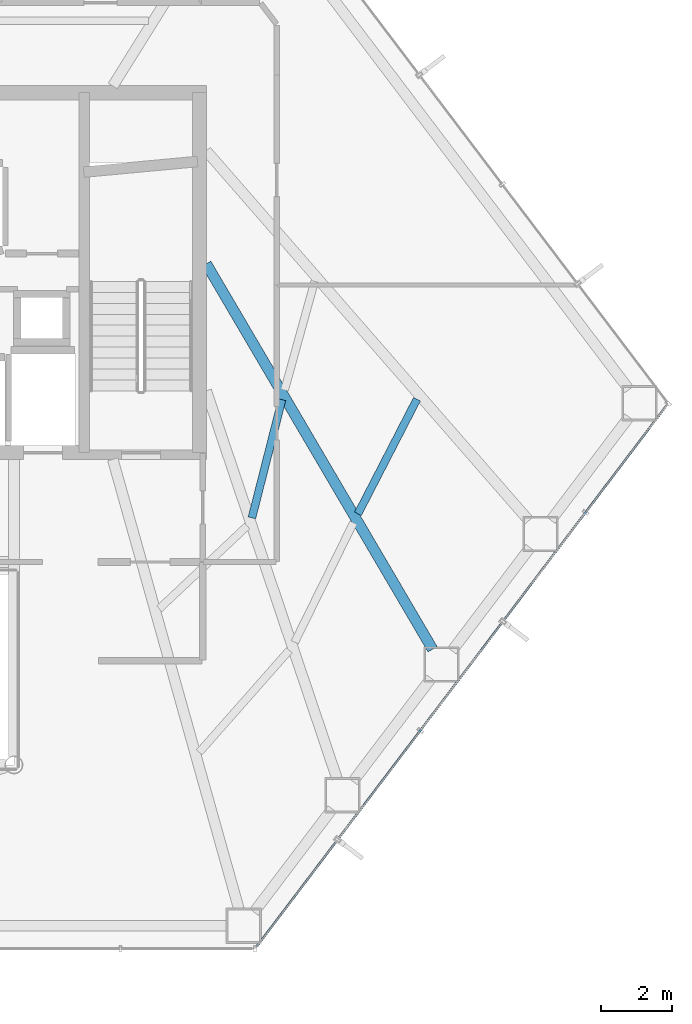
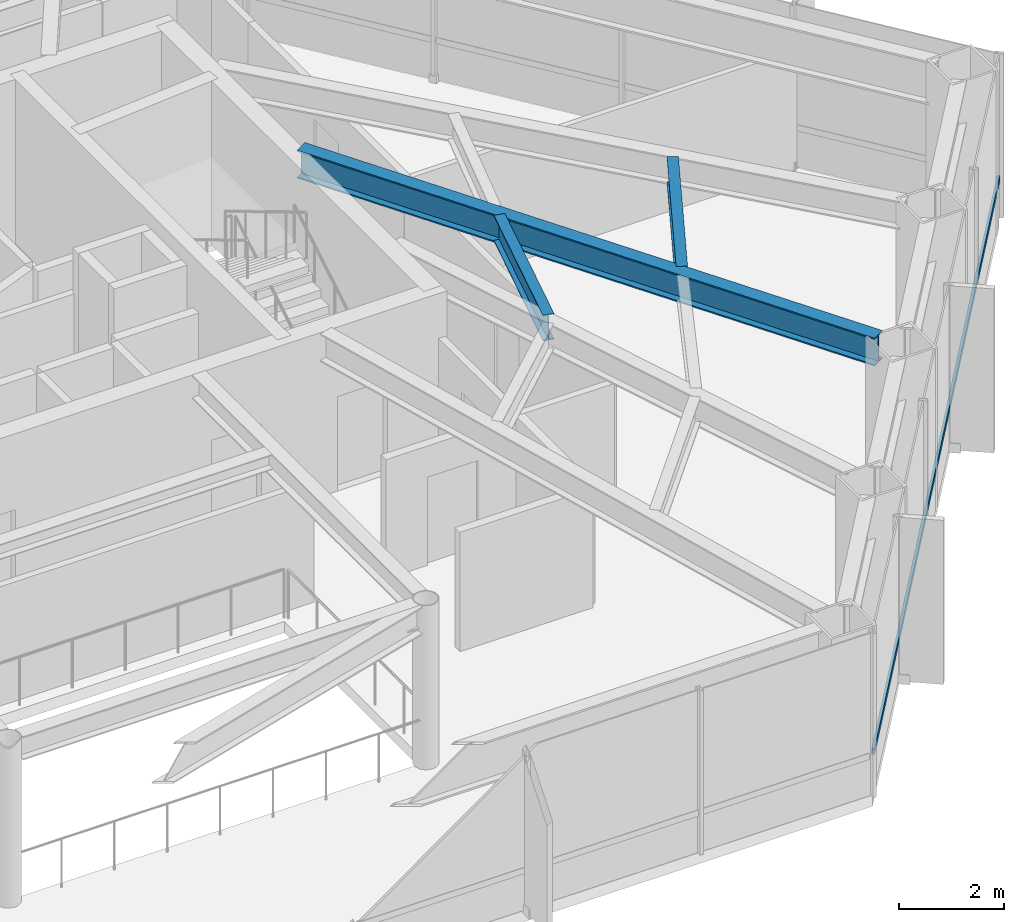
# One storey, part 18 of 26: 3 beams, 1 member, 1 element without a shape of its own.
"""IFC4 building model written with IfcOpenShell, lengths in metres."""

from ifc_helpers import new_model, si_unit, direction, frame, origin, origin_2d, place, context, subcontext, project, spatial, hollow_rectangle, i_section, extrude, material, layer, layer_set, material_profile, profile_set, type_object, element, aggregate, save


model = new_model("IFC4")

# Units and contexts
model_context = context("Model", 3, precision=1e-05, world=origin(), true_north=direction((0.0, 1.0)))
body_context = subcontext(model_context, "Body", "Model", "MODEL_VIEW")
ifc_project = project(units=[si_unit("LENGTHUNIT", "METRE"), si_unit("AREAUNIT", "SQUARE_METRE"), si_unit("VOLUMEUNIT", "CUBIC_METRE"), si_unit("PLANEANGLEUNIT", "RADIAN"), si_unit("MASSUNIT", "GRAM", prefix="KILO")], contexts=[model_context])

# Site, building, storey
site_placement = place(None, origin())
site = spatial("IfcSite", under=ifc_project, at=site_placement, CompositionType="ELEMENT")
building_placement = place(site_placement, origin())
building = spatial("IfcBuilding", under=site, at=building_placement, Name="Zarrinselat Tower", CompositionType="ELEMENT")
storey_placement = place(building_placement, frame((0.0, 0.0, 31.6201171875)))
storey = spatial("IfcBuildingStorey", under=building, at=storey_placement, Name="L07", CompositionType="ELEMENT", Elevation=31.6201171875)

# Beams
ifc_material_1 = material(Name="Steel S355J2", Category="steel")
ifc_material_profile_1 = material_profile(ifc_material_1, i_section(OverallWidth=0.300048828125, OverallDepth=0.64990234375, WebThickness=0.01611328125, FlangeThickness=0.031005859375, at=origin_2d()), Name="HEB 650")
ifc_profile_set_1 = profile_set([ifc_material_profile_1], Name="Steel S355J2")
beam_type_1 = type_object("IfcBeamType", Name="BM-HEB650", PredefinedType="BEAM", material=ifc_profile_set_1)
beam_1_placement = place(storey_placement, frame((48.449951171875, 38.60009765625, 3.494873046875), z_axis=(0.506309018234, -0.862352119528, 0.0), x_axis=(0.862352119528, 0.506309018234, 0.0)))
element("IfcBeam", 1, at=beam_1_placement, inside=storey, type_object=beam_type_1, Name="L07 Radial Primary Girder RG13", PredefinedType="BEAM", context=body_context, shape_type="SweptSolid", body=[
    extrude(i_section(OverallWidth=0.300048828125, OverallDepth=0.64990234375, WebThickness=0.01611328125, FlangeThickness=0.031005859375, at=origin_2d()), origin(), (0.0, 0.0, 1.0), 12.666259765625),
])
ifc_material_2 = material(Name="Steel S355J2", Category="steel")
ifc_material_profile_2 = material_profile(ifc_material_2, i_section(OverallWidth=0.219970703125, OverallDepth=0.60009765625, WebThickness=0.011962890625, FlangeThickness=0.01904296875, at=origin_2d()), Name="IPE 600")
ifc_profile_set_2 = profile_set([ifc_material_profile_2], Name="Steel S355J2")
beam_type_2 = type_object("IfcBeamType", Name="BM-IPE600", PredefinedType="JOIST", material=ifc_profile_set_2)
beam_2_placement = place(storey_placement, frame((49.743408203125, 31.40185546875, 3.519775390625), z_axis=(0.24672271234, 0.969086117543, 0.0), x_axis=(-0.969086117543, 0.24672271234, 0.0)))
element("IfcBeam", 2, at=beam_2_placement, inside=storey, type_object=beam_type_2, Name="L07 Composite Floor Joist 5-2", PredefinedType="JOIST", context=body_context, shape_type="SweptSolid", body=[
    extrude(i_section(OverallWidth=0.219970703125, OverallDepth=0.60009765625, WebThickness=0.011962890625, FlangeThickness=0.01904296875, at=origin_2d()), origin(), (0.0, 0.0, 1.0), 3.45556640625),
])
beam_3_placement = place(storey_placement, frame((52.74658203125, 31.515380859375, 3.519775390625), z_axis=(0.458011022233, 0.888946513303, 0.0), x_axis=(-0.888946513303, 0.458011022233, 0.0)))
element("IfcBeam", 3, at=beam_3_placement, inside=storey, type_object=beam_type_2, Name="L07 Composite Floor Joist 6-1", PredefinedType="JOIST", context=body_context, shape_type="SweptSolid", body=[
    extrude(i_section(OverallWidth=0.219970703125, OverallDepth=0.60009765625, WebThickness=0.011962890625, FlangeThickness=0.01904296875, at=origin_2d()), origin(), (0.0, 0.0, 1.0), 3.65185546875),
])

# Curtain wall, member
ifc_material_3 = material(Name="Extruded Aluminium Alloy EN AW-6063 T6", Category="aluminium")
ifc_layer = layer(ifc_material_3, 0.18505859375)
ifc_layer_set = layer_set([ifc_layer], Name="Extruded Aluminium Alloy EN AW-6063 T6")
curtain_wall_type = type_object("IfcCurtainWallType", Name="CWS-OFF", PredefinedType="NOTDEFINED", material=ifc_layer_set)
curtain_wall_placement = place(storey_placement, origin())
curtain_wall = element("IfcCurtainWall", 4, at=curtain_wall_placement, inside=storey, type_object=curtain_wall_type, Name="L07 Unitised Curtain Wall CW-L07-E05", PredefinedType="NOTDEFINED")
ifc_material_4 = material(Name="Extruded Aluminium Alloy EN AW-6063 T6", Category="aluminium")
ifc_material_profile_3 = material_profile(ifc_material_4, hollow_rectangle(XDim=0.06005859375, YDim=0.139892578125, WallThickness=0.00390625, at=origin_2d()), Name="RHS 140x60x4")
ifc_profile_set_3 = profile_set([ifc_material_profile_3], Name="Extruded Aluminium Alloy EN AW-6063 T6")
member_type = type_object("IfcMemberType", Name="MEM-CW-TRN", PredefinedType="USERDEFINED", material=ifc_profile_set_3)
member_placement = place(storey_placement, frame((49.885498046875, 19.26220703125, 0.949951171875), z_axis=(0.603862091789, 0.797088811928, 0.0), x_axis=(-0.797088811928, 0.603862091789, 0.0)))
member = element("IfcMember", 5, at=member_placement, type_object=member_type, Name="CW-L07-E05 Transom 1", ObjectType="TRANSOM", PredefinedType="USERDEFINED", context=body_context, shape_type="SweptSolid", body=[
    extrude(hollow_rectangle(XDim=0.06005859375, YDim=0.139892578125, WallThickness=0.00390625, at=origin_2d()), origin(), (0.0, 0.0, 1.0), 19.212646484375),
])
aggregate(curtain_wall, [member])

save(model, "model.ifc")
